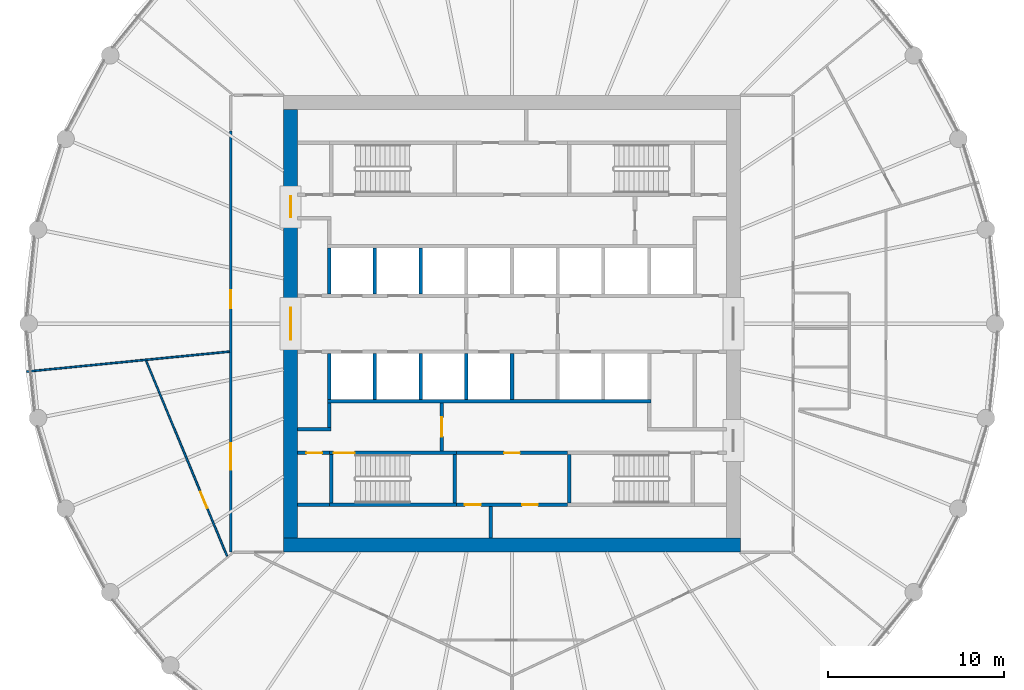
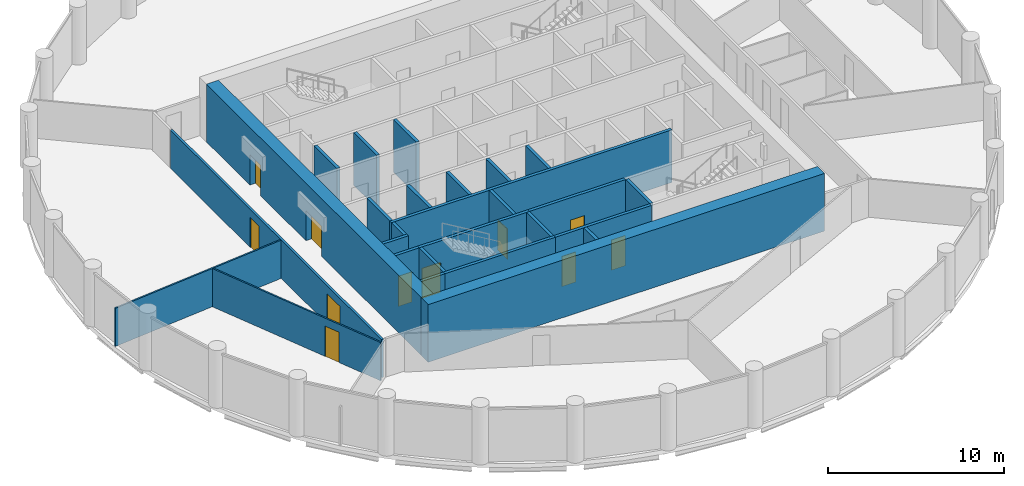
# One storey, part 4 of 8: 27 walls, 11 doors, 11 openings.
"""IFC4 building model written with IfcOpenShell, lengths in metres."""

from ifc_helpers import new_model, si_unit, direction, frame, frame_2d, origin, place, context, subcontext, project, spatial, polyline, rectangle, outline, extrude, material, layer, layer_set, type_object, element, fill, save


model = new_model("IFC4")

# Units and contexts
model_context = context("Model", 3, precision=1e-05, world=origin(), true_north=direction((0.0, 1.0)))
body_context = subcontext(model_context, "Body", "Model", "MODEL_VIEW")
ifc_project = project(units=[si_unit("LENGTHUNIT", "METRE"), si_unit("AREAUNIT", "SQUARE_METRE"), si_unit("VOLUMEUNIT", "CUBIC_METRE"), si_unit("PLANEANGLEUNIT", "RADIAN"), si_unit("MASSUNIT", "GRAM", prefix="KILO")], contexts=[model_context])

# Site, building, storey
site_placement = place(None, origin())
site = spatial("IfcSite", under=ifc_project, at=site_placement, CompositionType="ELEMENT")
building_placement = place(site_placement, origin())
building = spatial("IfcBuilding", under=site, at=building_placement, Name="Corvane Civic Tower", CompositionType="ELEMENT")
storey_placement = place(building_placement, frame((0.0, 0.0, 253.5)))
storey = spatial("IfcBuildingStorey", under=building, at=storey_placement, Name="L60", CompositionType="ELEMENT", Elevation=253.5)

# Wall
ifc_material_1 = material(Name="Concrete C50/60", Category="concrete")
ifc_layer_1 = layer(ifc_material_1, 0.800048828125)
ifc_layer_set_1 = layer_set([ifc_layer_1], Name="Concrete C50/60")
wall_type_1 = type_object("IfcWallType", Name="CORE WALL 800 C50/60", PredefinedType="SHEAR", material=ifc_layer_set_1)
wall_1_placement = place(storey_placement, frame((-13.0, -12.60009765625, 0.0), z_axis=(0.0, 0.0, 1.0), x_axis=(1.0, 0.0, 0.0)))
element("IfcWall", 1, at=wall_1_placement, inside=storey, type_object=wall_type_1, Name="W-L60-core-S", PredefinedType="SHEAR", context=body_context, shape_type="SweptSolid", body=[
    extrude(rectangle(XDim=26.0, YDim=0.800048828125, at=frame_2d((13.0, 0.0))), origin(), (0.0, 0.0, 1.0), 4.0),
])

# Wall, openings, doors
wall_2_placement = place(storey_placement, frame((-12.60009765625, -12.199951171875, 0.0), z_axis=(0.0, 0.0, 1.0), x_axis=(0.0, 1.0, 0.0)))
wall_2 = element("IfcWall", 2, at=wall_2_placement, inside=storey, type_object=wall_type_1, Name="W-L60-core-W", PredefinedType="SHEAR", context=body_context, shape_type="SweptSolid", body=[
    extrude(rectangle(XDim=24.39990234375, YDim=0.800048828125, at=frame_2d((12.199951171875, 0.0))), origin(), (0.0, 0.0, 1.0), 4.0),
])
opening_1_placement = place(wall_2_placement, frame((11.300048828125, 0.0, 0.0)))
opening_1 = element("IfcOpeningElement", 3, at=opening_1_placement, cuts=wall_2, Name="Opening L60.C25", PredefinedType="OPENING", context=body_context, shape_type="SweptSolid", body=[
    extrude(rectangle(XDim=1.800048828125, YDim=2.10009765625, at=frame_2d((0.89990234375, 1.050048828125))), frame((0.0, 0.409912109375, 0.0), z_axis=(0.0, -1.0, 0.0), x_axis=(1.0, 0.0, 0.0)), (0.0, 0.0, 1.0), 0.820068359375),
])
opening_2_placement = place(wall_2_placement, frame((18.25, 0.0, 0.0)))
opening_2 = element("IfcOpeningElement", 4, at=opening_2_placement, cuts=wall_2, Name="Opening L60.C27", PredefinedType="OPENING", context=body_context, shape_type="SweptSolid", body=[
    extrude(rectangle(XDim=1.199951171875, YDim=2.10009765625, at=frame_2d((0.60009765625, 1.050048828125))), frame((0.0, 0.409912109375, 0.0), z_axis=(0.0, -1.0, 0.0), x_axis=(1.0, 0.0, 0.0)), (0.0, 0.0, 1.0), 0.820068359375),
])
ifc_material_2 = material(Name="Steel fire door leaf", Category="steel")
door_type_1 = type_object("IfcDoorType", Name="CR-DOOR-CORE-1800", OperationType="DOUBLE_DOOR_SINGLE_SWING", PredefinedType="DOOR", material=ifc_material_2)
door_1_placement = place(opening_1_placement, origin())
door_1 = element("IfcDoor", 5, at=door_1_placement, inside=storey, type_object=door_type_1, Name="L60 door", OperationType="DOUBLE_DOOR_SINGLE_SWING", OverallHeight=2.10009765625, OverallWidth=1.800048828125, PredefinedType="DOOR", context=body_context, shape_type="SweptSolid", body=[
    extrude(rectangle(XDim=1.800048828125, YDim=2.10009765625, at=frame_2d((0.89990234375, 1.050048828125))), frame((0.0, 0.02490234375, 0.0), z_axis=(0.0, -1.0, 0.0), x_axis=(1.0, 0.0, 0.0)), (0.0, 0.0, 1.0), 0.050048828125),
])
fill(opening_1, door_1)
door_2_placement = place(opening_2_placement, origin())
door_2 = element("IfcDoor", 6, at=door_2_placement, inside=storey, type_object=door_type_1, Name="L60 door", OperationType="DOUBLE_DOOR_SINGLE_SWING", OverallHeight=2.10009765625, OverallWidth=1.199951171875, PredefinedType="DOOR", context=body_context, shape_type="SweptSolid", body=[
    extrude(rectangle(XDim=1.199951171875, YDim=2.10009765625, at=frame_2d((0.60009765625, 1.050048828125))), frame((0.0, 0.02490234375, 0.0), z_axis=(0.0, -1.0, 0.0), x_axis=(1.0, 0.0, 0.0)), (0.0, 0.0, 1.0), 0.050048828125),
])
fill(opening_2, door_2)

ifc_material_3 = material(Name="Concrete C30/37", Category="concrete")
ifc_layer_2 = layer(ifc_material_3, 0.199951171875)
ifc_layer_set_2 = layer_set([ifc_layer_2], Name="Concrete C30/37")
wall_type_2 = type_object("IfcWallType", Name="CR-WALL-200", PredefinedType="PARTITIONING", material=ifc_layer_set_2)
wall_3_placement = place(storey_placement, frame((-3.14990234375, -10.300048828125, 0.0), z_axis=(0.0, 0.0, 1.0), x_axis=(1.0, 0.0, 0.0)))
wall_3 = element("IfcWall", 7, at=wall_3_placement, inside=storey, type_object=wall_type_2, Name="L60 partition wall", PredefinedType="PARTITIONING", context=body_context, shape_type="SweptSolid", body=[
    extrude(rectangle(XDim=6.2998046875, YDim=0.199951171875, at=frame_2d((3.14990234375, 0.0))), origin(), (0.0, 0.0, 1.0), 3.64990234375),
])
opening_3_placement = place(wall_3_placement, frame((0.47509765625, 0.0, 0.0)))
opening_3 = element("IfcOpeningElement", 8, at=opening_3_placement, cuts=wall_3, Name="Opening L60.C11", PredefinedType="OPENING", context=body_context, shape_type="SweptSolid", body=[
    extrude(rectangle(XDim=0.89990234375, YDim=2.10009765625, at=frame_2d((0.449951171875, 1.050048828125))), frame((0.0, 0.10986328125, 0.0), z_axis=(0.0, -1.0, 0.0), x_axis=(1.0, 0.0, 0.0)), (0.0, 0.0, 1.0), 0.219970703125),
])
opening_4_placement = place(wall_3_placement, frame((3.72509765625, 0.0, 0.0)))
opening_4 = element("IfcOpeningElement", 9, at=opening_4_placement, cuts=wall_3, Name="Opening L60.C12", PredefinedType="OPENING", context=body_context, shape_type="SweptSolid", body=[
    extrude(rectangle(XDim=0.89990234375, YDim=2.10009765625, at=frame_2d((0.449951171875, 1.050048828125))), frame((0.0, 0.10986328125, 0.0), z_axis=(0.0, -1.0, 0.0), x_axis=(1.0, 0.0, 0.0)), (0.0, 0.0, 1.0), 0.219970703125),
])
ifc_material_4 = material(Name="Steel fire door leaf", Category="steel")
door_type_2 = type_object("IfcDoorType", Name="CR-DOOR-900", OperationType="SINGLE_SWING_LEFT", PredefinedType="DOOR", material=ifc_material_4)
door_3_placement = place(opening_3_placement, origin())
door_3 = element("IfcDoor", 10, at=door_3_placement, inside=storey, type_object=door_type_2, Name="L60 door", OperationType="SINGLE_SWING_LEFT", OverallHeight=2.10009765625, OverallWidth=0.89990234375, PredefinedType="DOOR", context=body_context, shape_type="SweptSolid", body=[
    extrude(rectangle(XDim=0.89990234375, YDim=2.10009765625, at=frame_2d((0.449951171875, 1.050048828125))), frame((0.0, 0.02490234375, 0.0), z_axis=(0.0, -1.0, 0.0), x_axis=(1.0, 0.0, 0.0)), (0.0, 0.0, 1.0), 0.050048828125),
])
fill(opening_3, door_3)
door_4_placement = place(opening_4_placement, origin())
door_4 = element("IfcDoor", 11, at=door_4_placement, inside=storey, type_object=door_type_2, Name="L60 door", OperationType="SINGLE_SWING_LEFT", OverallHeight=2.10009765625, OverallWidth=0.89990234375, PredefinedType="DOOR", context=body_context, shape_type="SweptSolid", body=[
    extrude(rectangle(XDim=0.89990234375, YDim=2.10009765625, at=frame_2d((0.449951171875, 1.050048828125))), frame((0.0, 0.02490234375, 0.0), z_axis=(0.0, -1.0, 0.0), x_axis=(1.0, 0.0, 0.0)), (0.0, 0.0, 1.0), 0.050048828125),
])
fill(opening_4, door_4)

# Wall, opening, door
wall_4_placement = place(storey_placement, frame((-12.199951171875, -7.35009765625, 0.0), z_axis=(0.0, 0.0, 1.0), x_axis=(1.0, 0.0, 0.0)))
wall_4 = element("IfcWall", 12, at=wall_4_placement, inside=storey, type_object=wall_type_2, Name="L60 core partition wall", PredefinedType="PARTITIONING", context=body_context, shape_type="SweptSolid", body=[
    extrude(rectangle(XDim=1.800048828125, YDim=0.199951171875, at=frame_2d((0.89990234375, 0.0))), origin(), (0.0, 0.0, 1.0), 3.64990234375),
])
opening_5_placement = place(wall_4_placement, frame((0.5, 0.0, 0.0)))
opening_5 = element("IfcOpeningElement", 13, at=opening_5_placement, cuts=wall_4, Name="Opening L60.C14", PredefinedType="OPENING", context=body_context, shape_type="SweptSolid", body=[
    extrude(rectangle(XDim=0.89990234375, YDim=2.10009765625, at=frame_2d((0.449951171875, 1.050048828125))), frame((0.0, 0.10986328125, 0.0), z_axis=(0.0, -1.0, 0.0), x_axis=(1.0, 0.0, 0.0)), (0.0, 0.0, 1.0), 0.219970703125),
])
door_5_placement = place(opening_5_placement, origin())
door_5 = element("IfcDoor", 14, at=door_5_placement, inside=storey, type_object=door_type_2, Name="L60 door", OperationType="SINGLE_SWING_LEFT", OverallHeight=2.10009765625, OverallWidth=0.89990234375, PredefinedType="DOOR", context=body_context, shape_type="SweptSolid", body=[
    extrude(rectangle(XDim=0.89990234375, YDim=2.10009765625, at=frame_2d((0.449951171875, 1.050048828125))), frame((0.0, 0.02490234375, 0.0), z_axis=(0.0, -1.0, 0.0), x_axis=(1.0, 0.0, 0.0)), (0.0, 0.0, 1.0), 0.050048828125),
])
fill(opening_5, door_5)

wall_5_placement = place(storey_placement, frame((-3.14990234375, -7.35009765625, 0.0), z_axis=(0.0, 0.0, 1.0), x_axis=(1.0, 0.0, 0.0)))
wall_5 = element("IfcWall", 15, at=wall_5_placement, inside=storey, type_object=wall_type_2, Name="L60 core partition wall", PredefinedType="PARTITIONING", context=body_context, shape_type="SweptSolid", body=[
    extrude(rectangle(XDim=6.2998046875, YDim=0.199951171875, at=frame_2d((3.14990234375, 0.0))), origin(), (0.0, 0.0, 1.0), 3.64990234375),
])
opening_6_placement = place(wall_5_placement, frame((2.699951171875, 0.0, 0.0)))
opening_6 = element("IfcOpeningElement", 16, at=opening_6_placement, cuts=wall_5, Name="Opening L60.C08", PredefinedType="OPENING", context=body_context, shape_type="SweptSolid", body=[
    extrude(rectangle(XDim=0.89990234375, YDim=2.10009765625, at=frame_2d((0.449951171875, 1.050048828125))), frame((0.0, 0.10986328125, 0.0), z_axis=(0.0, -1.0, 0.0), x_axis=(1.0, 0.0, 0.0)), (0.0, 0.0, 1.0), 0.219970703125),
])
door_6_placement = place(opening_6_placement, origin())
door_6 = element("IfcDoor", 17, at=door_6_placement, inside=storey, type_object=door_type_2, Name="L60 door", OperationType="SINGLE_SWING_LEFT", OverallHeight=2.10009765625, OverallWidth=0.89990234375, PredefinedType="DOOR", context=body_context, shape_type="SweptSolid", body=[
    extrude(rectangle(XDim=0.89990234375, YDim=2.10009765625, at=frame_2d((0.449951171875, 1.050048828125))), frame((0.0, 0.02490234375, 0.0), z_axis=(0.0, -1.0, 0.0), x_axis=(1.0, 0.0, 0.0)), (0.0, 0.0, 1.0), 0.050048828125),
])
fill(opening_6, door_6)

wall_6_placement = place(storey_placement, frame((-4.0, -7.25, 0.0), z_axis=(0.0, 0.0, 1.0), x_axis=(0.0, 1.0, 0.0)))
wall_6 = element("IfcWall", 18, at=wall_6_placement, inside=storey, type_object=wall_type_2, Name="L60 core partition wall", PredefinedType="PARTITIONING", context=body_context, shape_type="SweptSolid", body=[
    extrude(rectangle(XDim=2.75, YDim=0.199951171875, at=frame_2d((1.375, 0.0))), origin(), (0.0, 0.0, 1.0), 3.64990234375),
])
opening_7_placement = place(wall_6_placement, frame((0.824951171875, 0.0, 0.0)))
opening_7 = element("IfcOpeningElement", 19, at=opening_7_placement, cuts=wall_6, Name="Opening L60.C24", PredefinedType="OPENING", context=body_context, shape_type="SweptSolid", body=[
    extrude(rectangle(XDim=1.10009765625, YDim=2.10009765625, at=frame_2d((0.550048828125, 1.050048828125))), frame((0.0, 0.10986328125, 0.0), z_axis=(0.0, -1.0, 0.0), x_axis=(1.0, 0.0, 0.0)), (0.0, 0.0, 1.0), 0.219970703125),
])
ifc_material_5 = material(Name="Steel fire door leaf", Category="steel")
door_type_3 = type_object("IfcDoorType", Name="CR-DOOR-FFL-1100", OperationType="SINGLE_SWING_LEFT", PredefinedType="DOOR", material=ifc_material_5)
door_7_placement = place(opening_7_placement, origin())
door_7 = element("IfcDoor", 20, at=door_7_placement, inside=storey, type_object=door_type_3, Name="L60 lobby door", OperationType="SINGLE_SWING_LEFT", OverallHeight=2.10009765625, OverallWidth=1.10009765625, PredefinedType="DOOR", context=body_context, shape_type="SweptSolid", body=[
    extrude(rectangle(XDim=1.10009765625, YDim=2.10009765625, at=frame_2d((0.550048828125, 1.050048828125))), frame((0.0, 0.02490234375, 0.0), z_axis=(0.0, -1.0, 0.0), x_axis=(1.0, 0.0, 0.0)), (0.0, 0.0, 1.0), 0.050048828125),
])
fill(opening_7, door_7)

# Walls
wall_7_placement = place(storey_placement, origin())
element("IfcWall", 21, at=wall_7_placement, inside=storey, type_object=wall_type_2, Name="L60 core partition wall", PredefinedType="PARTITIONING", context=body_context, shape_type="SweptSolid", body=[
    extrude(outline(polyline([(7.89990234375, -4.300048828125), (7.89990234375, -4.5), (-10.5, -4.5), (-10.5, -4.300048828125), (7.89990234375, -4.300048828125)])), origin(), (0.0, 0.0, 1.0), 3.64990234375),
])
wall_8_placement = place(storey_placement, origin())
element("IfcWall", 22, at=wall_8_placement, inside=storey, type_object=wall_type_2, Name="L60 core partition wall", PredefinedType="PARTITIONING", context=body_context, shape_type="SweptSolid", body=[
    extrude(outline(polyline([(-2.5, -1.699951171875), (-2.5, -4.2998046875), (-2.699951171875, -4.2998046875), (-2.699951171875, -1.699951171875), (-2.5, -1.699951171875)])), origin(), (0.0, 0.0, 1.0), 3.64990234375),
])
wall_9_placement = place(storey_placement, origin())
element("IfcWall", 23, at=wall_9_placement, inside=storey, type_object=wall_type_2, Name="L60 core partition wall", PredefinedType="PARTITIONING", context=body_context, shape_type="SweptSolid", body=[
    extrude(outline(polyline([(0.10009765625, -1.699951171875), (0.10009765625, -4.2998046875), (-0.10009765625, -4.2998046875), (-0.10009765625, -1.699951171875), (0.10009765625, -1.699951171875)])), origin(), (0.0, 0.0, 1.0), 3.64990234375),
])
wall_10_placement = place(storey_placement, origin())
element("IfcWall", 24, at=wall_10_placement, inside=storey, type_object=wall_type_2, Name="L60 core partition wall", PredefinedType="PARTITIONING", context=body_context, shape_type="SweptSolid", body=[
    extrude(outline(polyline([(-10.300048828125, -1.699951171875), (-10.300048828125, -4.2998046875), (-10.5, -4.2998046875), (-10.5, -1.699951171875), (-10.300048828125, -1.699951171875)])), origin(), (0.0, 0.0, 1.0), 3.64990234375),
])
wall_11_placement = place(storey_placement, origin())
element("IfcWall", 25, at=wall_11_placement, inside=storey, type_object=wall_type_2, Name="L60 core partition wall", PredefinedType="PARTITIONING", context=body_context, shape_type="SweptSolid", body=[
    extrude(outline(polyline([(-7.699951171875, -1.699951171875), (-7.699951171875, -4.2998046875), (-7.89990234375, -4.2998046875), (-7.89990234375, -1.699951171875), (-7.699951171875, -1.699951171875)])), origin(), (0.0, 0.0, 1.0), 3.64990234375),
])
wall_12_placement = place(storey_placement, origin())
element("IfcWall", 26, at=wall_12_placement, inside=storey, type_object=wall_type_2, Name="L60 core partition wall", PredefinedType="PARTITIONING", context=body_context, shape_type="SweptSolid", body=[
    extrude(outline(polyline([(-5.10009765625, -1.699951171875), (-5.10009765625, -4.2998046875), (-5.300048828125, -4.2998046875), (-5.300048828125, -1.699951171875), (-5.10009765625, -1.699951171875)])), origin(), (0.0, 0.0, 1.0), 3.64990234375),
])
wall_13_placement = place(storey_placement, origin())
element("IfcWall", 27, at=wall_13_placement, inside=storey, type_object=wall_type_2, Name="L60 core partition wall", PredefinedType="PARTITIONING", context=body_context, shape_type="SweptSolid", body=[
    extrude(outline(polyline([(-10.300048828125, -6.10009765625), (-12.199951171875, -6.10009765625), (-12.199951171875, -5.89990234375), (-10.300048828125, -5.89990234375), (-10.300048828125, -6.10009765625)])), origin(), (0.0, 0.0, 1.0), 3.64990234375),
])
wall_14_placement = place(storey_placement, origin())
element("IfcWall", 28, at=wall_14_placement, inside=storey, type_object=wall_type_2, Name="L60 core partition wall", PredefinedType="PARTITIONING", context=body_context, shape_type="SweptSolid", body=[
    extrude(outline(polyline([(-10.300048828125, -5.89990234375), (-10.5, -5.89990234375), (-10.5, -4.5), (-10.300048828125, -4.5), (-10.300048828125, -5.89990234375)])), origin(), (0.0, 0.0, 1.0), 3.64990234375),
])
wall_15_placement = place(storey_placement, origin())
element("IfcWall", 29, at=wall_15_placement, inside=storey, type_object=wall_type_2, Name="L60 core partition wall", PredefinedType="PARTITIONING", context=body_context, shape_type="SweptSolid", body=[
    extrude(outline(polyline([(-10.300048828125, 1.699951171875), (-10.5, 1.699951171875), (-10.5, 4.2998046875), (-10.300048828125, 4.2998046875), (-10.300048828125, 1.699951171875)])), origin(), (0.0, 0.0, 1.0), 3.64990234375),
])
wall_16_placement = place(storey_placement, origin())
element("IfcWall", 30, at=wall_16_placement, inside=storey, type_object=wall_type_2, Name="L60 core partition wall", PredefinedType="PARTITIONING", context=body_context, shape_type="SweptSolid", body=[
    extrude(outline(polyline([(-7.699951171875, 1.699951171875), (-7.89990234375, 1.699951171875), (-7.89990234375, 4.2998046875), (-7.699951171875, 4.2998046875), (-7.699951171875, 1.699951171875)])), origin(), (0.0, 0.0, 1.0), 3.64990234375),
])
wall_17_placement = place(storey_placement, origin())
element("IfcWall", 31, at=wall_17_placement, inside=storey, type_object=wall_type_2, Name="L60 core partition wall", PredefinedType="PARTITIONING", context=body_context, shape_type="SweptSolid", body=[
    extrude(outline(polyline([(-5.10009765625, 1.699951171875), (-5.300048828125, 1.699951171875), (-5.300048828125, 4.2998046875), (-5.10009765625, 4.2998046875), (-5.10009765625, 1.699951171875)])), origin(), (0.0, 0.0, 1.0), 3.64990234375),
])
wall_18_placement = place(storey_placement, origin())
element("IfcWall", 32, at=wall_18_placement, inside=storey, type_object=wall_type_2, Name="L60 core partition wall", PredefinedType="PARTITIONING", context=body_context, shape_type="SweptSolid", body=[
    extrude(outline(polyline([(-10.39990234375, -10.39990234375), (-12.199951171875, -10.39990234375), (-12.199951171875, -10.199951171875), (-10.39990234375, -10.199951171875), (-10.39990234375, -10.39990234375)])), origin(), (0.0, 0.0, 1.0), 3.64990234375),
])
wall_19_placement = place(storey_placement, origin())
element("IfcWall", 33, at=wall_19_placement, inside=storey, type_object=wall_type_2, Name="L60 core partition wall", PredefinedType="PARTITIONING", context=body_context, shape_type="SweptSolid", body=[
    extrude(outline(polyline([(-1.10009765625, -12.199951171875), (-1.300048828125, -12.199951171875), (-1.300048828125, -10.39990234375), (-1.10009765625, -10.39990234375), (-1.10009765625, -12.199951171875)])), origin(), (0.0, 0.0, 1.0), 3.64990234375),
])

# Wall, opening, door
ifc_material_6 = material(Name="Plasterboard")
ifc_layer_3 = layer(ifc_material_6, 0.10009765625)
ifc_layer_set_3 = layer_set([ifc_layer_3], Name="Plasterboard")
wall_type_3 = type_object("IfcWallType", Name="Partition 100 plasterboard on studs", PredefinedType="PARTITIONING", material=ifc_layer_set_3)
wall_20_placement = place(storey_placement, frame((-20.815185546875, -2.114990234375, 0.0), z_axis=(0.0, 0.0, 1.0), x_axis=(0.382678182982, -0.92388170686, 0.0)))
wall_20 = element("IfcWall", 34, at=wall_20_placement, inside=storey, type_object=wall_type_3, Name="Partition L60.007", PredefinedType="PARTITIONING", context=body_context, shape_type="SweptSolid", body=[
    extrude(rectangle(XDim=12.0234375, YDim=0.10009765625, at=frame_2d((6.01171875, 0.0))), origin(), (0.0, 0.0, 1.0), 2.64990234375),
])
opening_8_placement = place(wall_20_placement, frame((8.05615234375, 0.0, 0.0)))
opening_8 = element("IfcOpeningElement", 35, at=opening_8_placement, cuts=wall_20, Name="Opening L60.014", PredefinedType="OPENING", context=body_context, shape_type="SweptSolid", body=[
    extrude(rectangle(XDim=1.0, YDim=2.10009765625, at=frame_2d((0.5, 1.050048828125))), frame((0.0, 0.06005859375, 0.0), z_axis=(0.0, -1.0, 0.0), x_axis=(1.0, 0.0, 0.0)), (0.0, 0.0, 1.0), 0.1201171875),
])
ifc_material_7 = material(Name="Timber", Category="wood")
door_type_4 = type_object("IfcDoorType", Name="Single door 1000", OperationType="NOTDEFINED", PredefinedType="DOOR", material=ifc_material_7)
door_8_placement = place(opening_8_placement, frame((1.0, 0.0, 0.0), z_axis=(0.0, 0.0, 1.0), x_axis=(-1.0, 0.0, 0.0)))
door_8 = element("IfcDoor", 36, at=door_8_placement, inside=storey, type_object=door_type_4, Name="Door L60.014", OperationType="SINGLE_SWING_LEFT", OverallHeight=2.10009765625, OverallWidth=1.0, PredefinedType="DOOR", context=body_context, shape_type="SweptSolid", body=[
    extrude(rectangle(XDim=1.0, YDim=2.10009765625, at=frame_2d((0.5, 1.050048828125))), frame((0.0, 0.02490234375, 0.0), z_axis=(0.0, -1.0, 0.0), x_axis=(1.0, 0.0, 0.0)), (0.0, 0.0, 1.0), 0.050048828125),
])
fill(opening_8, door_8)

# Wall
wall_21_placement = place(storey_placement, frame((-27.616455078125, -2.719970703125, 0.0), z_axis=(0.0, 0.0, 1.0), x_axis=(0.995184958345, 0.098014788084, 0.0)))
element("IfcWall", 37, at=wall_21_placement, inside=storey, type_object=wall_type_3, Name="Partition L60.016", PredefinedType="PARTITIONING", context=body_context, shape_type="SweptSolid", body=[
    extrude(rectangle(XDim=11.592529296875, YDim=0.10009765625, at=frame_2d((5.79638671875, 0.0))), origin(), (0.0, 0.0, 1.0), 2.64990234375),
])

# Wall, opening, door
ifc_material_8 = material(Name="Concrete C50/60", Category="concrete")
ifc_layer_4 = layer(ifc_material_8, 0.199951171875)
ifc_layer_set_4 = layer_set([ifc_layer_4], Name="Concrete C50/60")
wall_type_4 = type_object("IfcWallType", Name="ST-WALL-200", PredefinedType="SHEAR", material=ifc_layer_set_4)
wall_22_placement = place(storey_placement, frame((-10.39990234375, -7.35009765625, 0.0), z_axis=(0.0, 0.0, 1.0), x_axis=(1.0, 0.0, 0.0)))
wall_22 = element("IfcWall", 38, at=wall_22_placement, inside=storey, type_object=wall_type_4, Name="L60 stair enclosure wall", PredefinedType="SHEAR", context=body_context, shape_type="SweptSolid", body=[
    extrude(rectangle(XDim=7.25, YDim=0.199951171875, at=frame_2d((3.625, 0.0))), origin(), (0.0, 0.0, 1.0), 3.64990234375),
])
opening_9_placement = place(wall_22_placement, frame((0.25, 0.0, 0.0)))
opening_9 = element("IfcOpeningElement", 39, at=opening_9_placement, cuts=wall_22, Name="Opening L60.C20", PredefinedType="OPENING", context=body_context, shape_type="SweptSolid", body=[
    extrude(rectangle(XDim=1.199951171875, YDim=2.10009765625, at=frame_2d((0.60009765625, 1.050048828125))), frame((0.0, 0.10986328125, 0.0), z_axis=(0.0, -1.0, 0.0), x_axis=(1.0, 0.0, 0.0)), (0.0, 0.0, 1.0), 0.219970703125),
])
ifc_material_9 = material(Name="Steel fire door leaf", Category="steel")
door_type_5 = type_object("IfcDoorType", Name="ST-DOOR-1200", OperationType="SINGLE_SWING_RIGHT", PredefinedType="DOOR", material=ifc_material_9)
door_9_placement = place(opening_9_placement, origin())
door_9 = element("IfcDoor", 40, at=door_9_placement, inside=storey, type_object=door_type_5, Name="L60 stair door", OperationType="SINGLE_SWING_RIGHT", OverallHeight=2.10009765625, OverallWidth=1.199951171875, PredefinedType="DOOR", context=body_context, shape_type="SweptSolid", body=[
    extrude(rectangle(XDim=1.199951171875, YDim=2.10009765625, at=frame_2d((0.60009765625, 1.050048828125))), frame((0.0, 0.02490234375, 0.0), z_axis=(0.0, -1.0, 0.0), x_axis=(1.0, 0.0, 0.0)), (0.0, 0.0, 1.0), 0.050048828125),
])
fill(opening_9, door_9)

# Walls
wall_23_placement = place(storey_placement, origin())
element("IfcWall", 41, at=wall_23_placement, inside=storey, type_object=wall_type_4, Name="L60 stair enclosure wall", PredefinedType="SHEAR", context=body_context, shape_type="SweptSolid", body=[
    extrude(outline(polyline([(-3.14990234375, -10.199951171875), (-3.14990234375, -10.39990234375), (-10.39990234375, -10.39990234375), (-10.39990234375, -10.199951171875), (-3.14990234375, -10.199951171875)])), origin(), (0.0, 0.0, 1.0), 3.64990234375),
])
wall_24_placement = place(storey_placement, origin())
element("IfcWall", 42, at=wall_24_placement, inside=storey, type_object=wall_type_4, Name="L60 stair enclosure wall", PredefinedType="SHEAR", context=body_context, shape_type="SweptSolid", body=[
    extrude(outline(polyline([(-3.14990234375, -7.449951171875), (-3.14990234375, -10.199951171875), (-3.35009765625, -10.199951171875), (-3.35009765625, -7.449951171875), (-3.14990234375, -7.449951171875)])), origin(), (0.0, 0.0, 1.0), 3.64990234375),
])
wall_25_placement = place(storey_placement, origin())
element("IfcWall", 43, at=wall_25_placement, inside=storey, type_object=wall_type_4, Name="L60 stair enclosure wall", PredefinedType="SHEAR", context=body_context, shape_type="SweptSolid", body=[
    extrude(outline(polyline([(3.35009765625, -7.449951171875), (3.35009765625, -10.199951171875), (3.14990234375, -10.199951171875), (3.14990234375, -7.449951171875), (3.35009765625, -7.449951171875)])), origin(), (0.0, 0.0, 1.0), 3.64990234375),
])
wall_26_placement = place(storey_placement, origin())
element("IfcWall", 44, at=wall_26_placement, inside=storey, type_object=wall_type_4, Name="L60 stair enclosure wall", PredefinedType="SHEAR", context=body_context, shape_type="SweptSolid", body=[
    extrude(outline(polyline([(-10.199951171875, -7.449951171875), (-10.199951171875, -10.199951171875), (-10.39990234375, -10.199951171875), (-10.39990234375, -7.449951171875), (-10.199951171875, -7.449951171875)])), origin(), (0.0, 0.0, 1.0), 3.64990234375),
])

# Wall, openings, doors
ifc_material_10 = material(Name="Plasterboard")
ifc_layer_5 = layer(ifc_material_10, 0.14990234375)
ifc_layer_set_5 = layer_set([ifc_layer_5], Name="Plasterboard")
wall_type_5 = type_object("IfcWallType", Name="Tenancy wall 150 EI 60", PredefinedType="PARTITIONING", material=ifc_layer_set_5)
wall_27_placement = place(storey_placement, frame((-16.0, -13.0, 0.0), z_axis=(0.0, 0.0, 1.0), x_axis=(0.0, 1.0, 0.0)))
wall_27 = element("IfcWall", 45, at=wall_27_placement, inside=storey, type_object=wall_type_5, Name="Partition L60.008", PredefinedType="PARTITIONING", context=body_context, shape_type="SweptSolid", body=[
    extrude(rectangle(XDim=23.965087890625, YDim=0.14990234375, at=frame_2d((11.982421875, 0.0))), origin(), (0.0, 0.0, 1.0), 2.64990234375),
])
opening_10_placement = place(wall_27_placement, frame((4.68701171875, 0.0, 0.0)))
opening_10 = element("IfcOpeningElement", 46, at=opening_10_placement, cuts=wall_27, Name="Opening L60.015", PredefinedType="OPENING", context=body_context, shape_type="SweptSolid", body=[
    extrude(rectangle(XDim=1.5, YDim=2.10009765625, at=frame_2d((0.75, 1.050048828125))), frame((0.0, 0.0849609375, 0.0), z_axis=(0.0, -1.0, 0.0), x_axis=(1.0, 0.0, 0.0)), (0.0, 0.0, 1.0), 0.169921875),
])
opening_11_placement = place(wall_27_placement, frame((13.8955078125, 0.0, 0.0)))
opening_11 = element("IfcOpeningElement", 47, at=opening_11_placement, cuts=wall_27, Name="Opening L60.016", PredefinedType="OPENING", context=body_context, shape_type="SweptSolid", body=[
    extrude(rectangle(XDim=1.0, YDim=2.10009765625, at=frame_2d((0.5, 1.050048828125))), frame((0.0, 0.0849609375, 0.0), z_axis=(0.0, -1.0, 0.0), x_axis=(1.0, 0.0, 0.0)), (0.0, 0.0, 1.0), 0.169921875),
])
ifc_material_11 = material(Name="Steel and timber", Category="steel")
door_type_6 = type_object("IfcDoorType", Name="Fire door FD30S 1000", OperationType="NOTDEFINED", PredefinedType="DOOR", material=ifc_material_11)
door_10_placement = place(opening_11_placement, origin())
door_10 = element("IfcDoor", 48, at=door_10_placement, inside=storey, type_object=door_type_6, Name="Door L60.016", OperationType="SINGLE_SWING_LEFT", OverallHeight=2.10009765625, OverallWidth=1.0, PredefinedType="DOOR", context=body_context, shape_type="SweptSolid", body=[
    extrude(rectangle(XDim=1.0, YDim=2.10009765625, at=frame_2d((0.5, 1.050048828125))), frame((0.0, 0.02490234375, 0.0), z_axis=(0.0, -1.0, 0.0), x_axis=(1.0, 0.0, 0.0)), (0.0, 0.0, 1.0), 0.050048828125),
])
fill(opening_11, door_10)
ifc_material_12 = material(Name="Steel and timber", Category="steel")
door_type_7 = type_object("IfcDoorType", Name="Fire door FD60 double 1500", OperationType="NOTDEFINED", PredefinedType="DOOR", material=ifc_material_12)
door_11_placement = place(opening_10_placement, origin())
door_11 = element("IfcDoor", 49, at=door_11_placement, inside=storey, type_object=door_type_7, Name="Door L60.015", OperationType="DOUBLE_DOOR_SINGLE_SWING", OverallHeight=2.10009765625, OverallWidth=1.5, PredefinedType="DOOR", context=body_context, shape_type="SweptSolid", body=[
    extrude(rectangle(XDim=1.5, YDim=2.10009765625, at=frame_2d((0.75, 1.050048828125))), frame((0.0, 0.02490234375, 0.0), z_axis=(0.0, -1.0, 0.0), x_axis=(1.0, 0.0, 0.0)), (0.0, 0.0, 1.0), 0.050048828125),
])
fill(opening_10, door_11)

save(model, "model.ifc")
